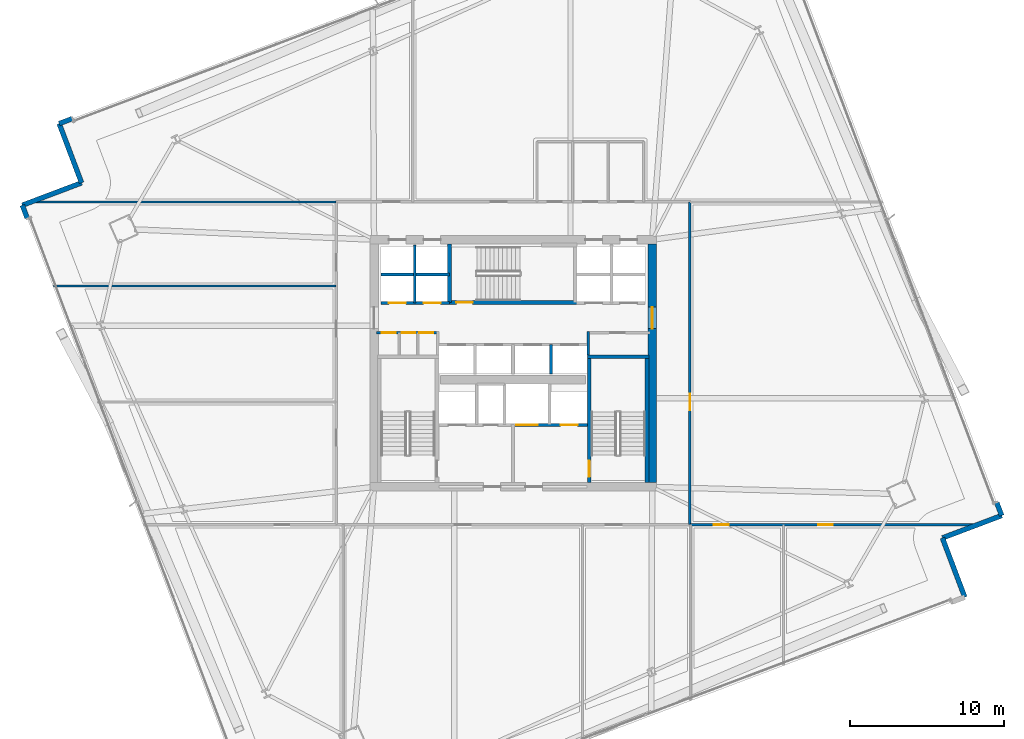
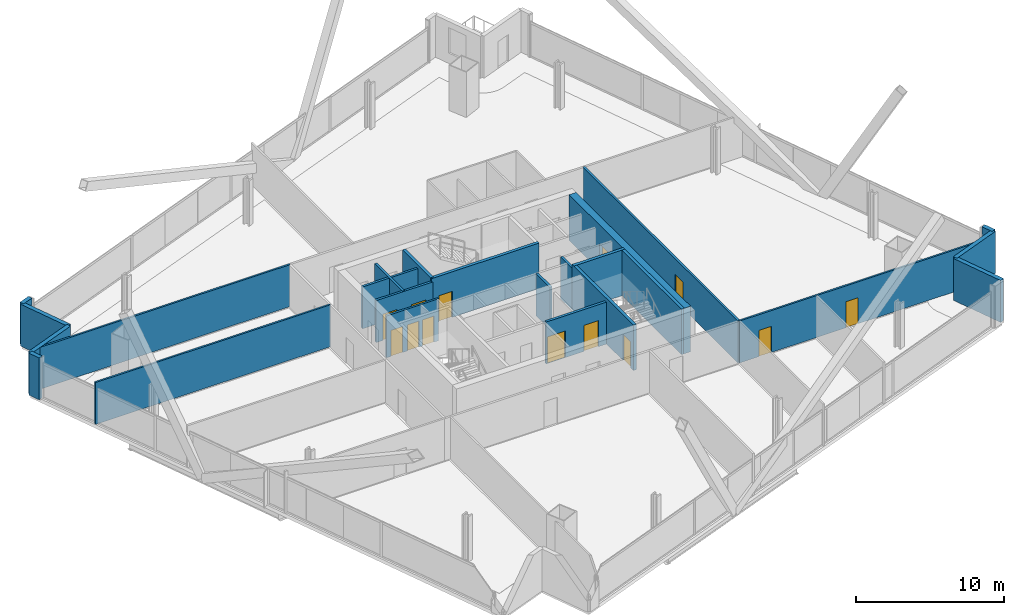
# One storey, part 30 of 37: 24 walls, 13 doors, 13 openings.
"""IFC4 building model written with IfcOpenShell, lengths in metres."""

import ifcopenshell
import ifcopenshell.guid

model = None  # the IFC model being written
_history = None  # IfcOwnerHistory: only IFC2X3 demands one
_inside = {}  # id of a spatial element -> (the spatial element, [elements in it])
_under = {}  # id of a project, library or spatial element -> (it, [spatial elements below it])
_declared = {}  # id of a project -> (the project, [libraries it declares])
_typed = {}  # id of a type object -> (the type object, [elements of that type])
_made_of = {}  # id of a material, layer set ... -> (it, [elements and type objects made of it])


def new_model(schema):
    """Start an empty IFC model of exactly this schema.

    Asked for "IFC4X3", IfcOpenShell would pick the latest addendum, in which some entities
    have other attributes; the version numbers below select the first issue.
    IFC2X3 requires an IfcOwnerHistory on every rooted entity: one is made here for all.
    """
    global model, _history
    if schema == "IFC4X3":
        model = ifcopenshell.file(schema_version=(4, 3, 0, 0))
    else:
        model = ifcopenshell.file(schema=schema)
    _inside.clear()
    _under.clear()
    _declared.clear()
    _typed.clear()
    _made_of.clear()
    _history = None
    if model.schema == "IFC2X3":
        org = make("IfcOrganization", Name="unknown")
        user = make(
            "IfcPersonAndOrganization",
            ThePerson=make("IfcPerson", FamilyName="unknown"),
            TheOrganization=org,
        )
        app = make(
            "IfcApplication",
            ApplicationDeveloper=org,
            Version="unknown",
            ApplicationFullName="unknown",
            ApplicationIdentifier="unknown",
        )
        _history = make(
            "IfcOwnerHistory",
            OwningUser=user,
            OwningApplication=app,
            ChangeAction="ADDED",
            CreationDate=0,
        )
    return model


def make(cls, **values):
    """One entity of the class cls with the attributes given. An attribute that is None is left unset."""
    return model.create_entity(
        cls, **{name: value for name, value in values.items() if value is not None}
    )


def rooted(cls, **values):
    """An entity with a GlobalId (a new one), such as an element, a storey or a relation."""
    return make(cls, GlobalId=ifcopenshell.guid.new(), OwnerHistory=_history, **values)


def si_unit(unit_type, name, prefix=None):
    """IfcSIUnit, for example si_unit("LENGTHUNIT", "METRE", prefix="MILLI")."""
    return make("IfcSIUnit", UnitType=unit_type, Prefix=prefix, Name=name)


def assignment(units):
    """IfcUnitAssignment: the units of a project."""
    return None if units is None else make("IfcUnitAssignment", Units=units)


def point(xyz):
    """IfcCartesianPoint."""
    return None if xyz is None else make("IfcCartesianPoint", Coordinates=xyz)


def direction(xyz):
    """IfcDirection."""
    return None if xyz is None else make("IfcDirection", DirectionRatios=xyz)


def frame(location, z_axis=None, x_axis=None):
    """IfcAxis2Placement3D, a coordinate frame: its origin and axes. An axis left out is left unset."""
    return make(
        "IfcAxis2Placement3D",
        Location=point(location),
        Axis=direction(z_axis),
        RefDirection=direction(x_axis),
    )


def frame_2d(location, x_axis=None):
    """IfcAxis2Placement2D, a coordinate frame in the plane: its origin and x axis."""
    return make(
        "IfcAxis2Placement2D", Location=point(location), RefDirection=direction(x_axis)
    )


def origin():
    """The frame at (0, 0, 0) with its axes left unset."""
    return frame((0.0, 0.0, 0.0))


def place(relative_to, where):
    """IfcLocalPlacement: puts the frame where relative to a parent placement (None: the world)."""
    return make(
        "IfcLocalPlacement", PlacementRelTo=relative_to, RelativePlacement=where
    )


def context(
    kind, dimensions, precision=None, world=None, true_north=None, identifier=None
):
    """IfcGeometricRepresentationContext, for example the 3D "Model" context."""
    return make(
        "IfcGeometricRepresentationContext",
        ContextIdentifier=identifier,
        ContextType=kind,
        CoordinateSpaceDimension=dimensions,
        Precision=precision,
        WorldCoordinateSystem=world,
        TrueNorth=true_north,
    )


def subcontext(parent, identifier, kind, view, scale=None):
    """IfcGeometricRepresentationSubContext, for example "Body" below "Model"."""
    return make(
        "IfcGeometricRepresentationSubContext",
        ContextIdentifier=identifier,
        ContextType=kind,
        ParentContext=parent,
        TargetScale=scale,
        TargetView=view,
    )


def project(units=None, contexts=None):
    """IfcProject with its units and contexts."""
    return rooted(
        "IfcProject",
        Name="project",
        RepresentationContexts=contexts,
        UnitsInContext=assignment(units),
    )


def spatial(cls, under=None, at=None, **own):
    """A site, building, storey or space (cls), placed at a placement, below another one or the project."""
    s = rooted(cls, ObjectPlacement=at, **own)
    if under is not None:
        _under.setdefault(under.id(), (under, []))[1].append(s)
    return s


def profile(cls, at=None, kind="AREA", **sizes):
    """A parametric profile (cls). Its sizes go by their IFC names, for example OverallWidth=200.0."""
    return make(cls, ProfileType=kind, Position=at, **sizes)


def rectangle(**sizes):
    """IfcRectangleProfileDef."""
    return profile("IfcRectangleProfileDef", **sizes)


def extrude(swept, where, along, depth):
    """IfcExtrudedAreaSolid: the profile swept, set in the frame where, extruded along a direction by depth."""
    return make(
        "IfcExtrudedAreaSolid",
        SweptArea=swept,
        Position=where,
        ExtrudedDirection=direction(along),
        Depth=depth,
    )


def shape(context_of_items, identifier, shape_type, items):
    """IfcShapeRepresentation: the items that make up one representation, for example the "Body"."""
    return make(
        "IfcShapeRepresentation",
        ContextOfItems=context_of_items,
        RepresentationIdentifier=identifier,
        RepresentationType=shape_type,
        Items=items,
    )


def material(Name=None, Category=None):
    """IfcMaterial."""
    return make("IfcMaterial", Name=Name, Category=Category)


def layer(
    of_material, thickness, ventilated=None, Name=None, Category=None, Priority=None
):
    """IfcMaterialLayer: one layer of a wall or slab, of a material (None: an air gap)."""
    return make(
        "IfcMaterialLayer",
        Material=of_material,
        LayerThickness=thickness,
        IsVentilated=ventilated,
        Name=Name,
        Category=Category,
        Priority=Priority,
    )


def layer_set(layers, Name=None):
    """IfcMaterialLayerSet."""
    return make("IfcMaterialLayerSet", MaterialLayers=layers, LayerSetName=Name)


def made_of(thing, what):
    """Note that an element or type object is made of a material, layer set ...; save() writes the relation."""
    if what is not None:
        _made_of.setdefault(what.id(), (what, []))[1].append(thing)
    return thing


def type_object(cls, material=None, **own):
    """A type object (cls), such as IfcWallType, which elements share."""
    return made_of(rooted(cls, **own), material)


def element(
    cls,
    number,
    at=None,
    inside=None,
    cuts=None,
    type_object=None,
    material=None,
    context=None,
    identifier="Body",
    shape_type=None,
    held_by="IfcProductDefinitionShape",
    body=None,
    shapes=None,
    **own,
):
    """One element of the class cls, such as IfcWall. Its Tag is "e" and its number.

    at: its placement. inside: the storey or other place that contains it. cuts: it is an
    opening in that element (IfcRelVoidsElement). A single representation is given by context,
    identifier, shape_type and body (its items); several are given by shapes. held_by: the class
    of the entity that holds the representations. save() writes the other relations.
    """
    e = rooted(cls, Tag="e%d" % number, ObjectPlacement=at, **own)
    if body is not None:
        shapes = [shape(context, identifier, shape_type, body)]
    if shapes is not None:
        e.Representation = make(held_by, Representations=shapes)
    if inside is not None:
        _inside.setdefault(inside.id(), (inside, []))[1].append(e)
    if cuts is not None:
        rooted(
            "IfcRelVoidsElement", RelatingBuildingElement=cuts, RelatedOpeningElement=e
        )
    if type_object is not None:
        _typed.setdefault(type_object.id(), (type_object, []))[1].append(e)
    return made_of(e, material)


def fill(opening, filler):
    """IfcRelFillsElement: the door or window that sits in an opening."""
    return rooted(
        "IfcRelFillsElement",
        RelatingOpeningElement=opening,
        RelatedBuildingElement=filler,
    )


def aggregate(whole, parts):
    """IfcRelAggregates: a whole, such as a stair, and the parts it consists of."""
    return rooted("IfcRelAggregates", RelatingObject=whole, RelatedObjects=parts)


def save(model, path):
    """Write the relations noted so far, then the file.

    IfcRelAggregates (storeys below a building ...), IfcRelContainedInSpatialStructure (elements
    in a storey), IfcRelDefinesByType, IfcRelAssociatesMaterial and IfcRelDeclares: one each for
    every whole, place, type object, material and project.
    """
    for whole, parts in _under.values():
        aggregate(whole, parts)
    for where, things in _inside.values():
        rooted(
            "IfcRelContainedInSpatialStructure",
            RelatedElements=things,
            RelatingStructure=where,
        )
    for kind, things in _typed.values():
        rooted("IfcRelDefinesByType", RelatedObjects=things, RelatingType=kind)
    for what, things in _made_of.values():
        rooted("IfcRelAssociatesMaterial", RelatedObjects=things, RelatingMaterial=what)
    for by, libraries in _declared.values():
        rooted("IfcRelDeclares", RelatingContext=by, RelatedDefinitions=libraries)
    model.write(path)


model = new_model("IFC4")

# Units and contexts
model_context = context("Model", 3, precision=1e-05, world=origin(), true_north=direction((0.0, 1.0)))
body_context = subcontext(model_context, "Body", "Model", "MODEL_VIEW")
ifc_project = project(units=[si_unit("LENGTHUNIT", "METRE"), si_unit("AREAUNIT", "SQUARE_METRE"), si_unit("VOLUMEUNIT", "CUBIC_METRE"), si_unit("PLANEANGLEUNIT", "RADIAN"), si_unit("MASSUNIT", "GRAM", prefix="KILO")], contexts=[model_context])

# Site, building, storey
site_placement = place(None, origin())
site = spatial("IfcSite", under=ifc_project, at=site_placement, CompositionType="ELEMENT")
building_placement = place(site_placement, origin())
building = spatial("IfcBuilding", under=site, at=building_placement, Name="Haldenkirk Collegiate Tower", CompositionType="ELEMENT")
storey_placement = place(building_placement, frame((0.0, 0.0, 97.949951171875)))
storey = spatial("IfcBuildingStorey", under=building, at=storey_placement, Name="L23", CompositionType="ELEMENT", Elevation=97.949951171875)

# Wall, opening, door
ifc_material_1 = material(Name="Concrete f'c 70 MPa", Category="concrete")
ifc_layer_1 = layer(ifc_material_1, 0.550048828125)
ifc_layer_set_1 = layer_set([ifc_layer_1], Name="Concrete f'c 70 MPa")
wall_type_1 = type_object("IfcWallType", Name="WL-CORE-550", PredefinedType="SHEAR", material=ifc_layer_set_1)
wall_1_placement = place(storey_placement, frame((45.0, 18.27490234375, 0.0), z_axis=(0.0, 0.0, 1.0), x_axis=(0.0, 1.0, 0.0)))
wall_1 = element("IfcWall", 1, at=wall_1_placement, inside=storey, type_object=wall_type_1, Name="L23 central core shear wall E", PredefinedType="SHEAR", context=body_context, shape_type="SweptSolid", body=[
    extrude(rectangle(XDim=15.4501953125, YDim=0.550048828125, at=frame_2d((7.72509765625, 0.0))), origin(), (0.0, 0.0, 1.0), 3.75),
])
opening_1_placement = place(wall_1_placement, frame((9.965087890625, 0.0, 0.0)))
opening_1 = element("IfcOpeningElement", 2, at=opening_1_placement, cuts=wall_1, Name="Opening D-03", PredefinedType="OPENING", context=body_context, shape_type="SweptSolid", body=[
    extrude(rectangle(XDim=1.39990234375, YDim=2.199951171875, at=frame_2d((0.699951171875, 1.10009765625))), frame((0.0, 0.284912109375, 0.0), z_axis=(0.0, -1.0, 0.0), x_axis=(1.0, 0.0, 0.0)), (0.0, 0.0, 1.0), 0.570068359375),
])
ifc_material_2 = material(Name="Galvanized fire-rated hollow steel door", Category="steel")
ifc_layer_2 = layer(ifc_material_2, 0.06005859375)
ifc_layer_set_2 = layer_set([ifc_layer_2], Name="Galvanized fire-rated hollow steel door")
door_type_1 = type_object("IfcDoorType", Name="DR-LOBBY-FD90-1400", OperationType="NOTDEFINED", PredefinedType="DOOR", material=ifc_layer_set_2)
door_1_placement = place(opening_1_placement, origin())
door_1 = element("IfcDoor", 3, at=door_1_placement, inside=storey, type_object=door_type_1, Name="L23 east lift lobby portal", OperationType="DOUBLE_DOOR_SINGLE_SWING", OverallHeight=2.199951171875, OverallWidth=1.39990234375, PredefinedType="DOOR", context=body_context, shape_type="SweptSolid", body=[
    extrude(rectangle(XDim=1.39990234375, YDim=2.199951171875, at=frame_2d((0.699951171875, 1.10009765625))), frame((0.0, 0.02490234375, 0.0), z_axis=(0.0, -1.0, 0.0), x_axis=(1.0, 0.0, 0.0)), (0.0, 0.0, 1.0), 0.050048828125),
])
fill(opening_1, door_1)

# Walls
ifc_material_3 = material(Name="Precast concrete f'c 40 MPa", Category="concrete")
ifc_layer_3 = layer(ifc_material_3, 0.320068359375)
ifc_layer_set_3 = layer_set([ifc_layer_3], Name="Precast concrete f'c 40 MPa")
wall_type_2 = type_object("IfcWallType", Name="WL-EXT-TWR-320", PredefinedType="STANDARD", material=ifc_layer_set_3)
for number, where, z_axis, x_axis, name in (
    (4, (63.790771484375, 14.693359375, 0.0), (0.0, 0.0, 1.0), (0.353478155162, -0.935442779556, 0.0), "L23 bronze precast notch wall 02"),
    (5, (67.6259765625, 16.142578125, 0.0), (0.0, 0.0, 1.0), (-0.935442779556, -0.353478155162, 0.0), "L23 bronze precast notch wall 03"),
):
    element("IfcWall", number, at=place(storey_placement, frame(where, z_axis=z_axis, x_axis=x_axis)), inside=storey, type_object=wall_type_2, Name=name, PredefinedType="STANDARD", context=body_context, shape_type="SweptSolid", body=[
        extrude(rectangle(XDim=4.099853515625, YDim=0.320068359375, at=frame_2d((2.0498046875, 0.0))), origin(), (0.0, 0.0, 1.0), 3.449951171875),
    ])
for number, where, z_axis, x_axis, name in (
    (6, (67.307861328125, 16.984619140625, 0.0), (0.0, 0.0, 1.0), (0.353411117785, -0.935468108396, 0.0), "L23 precast corner pier ER"),
    (7, (6.61865234375, 41.51611328125, 0.0), (0.0, 0.0, 1.0), (0.935468108396, 0.353411117785, 0.0), "L23 precast corner pier NL"),
):
    element("IfcWall", number, at=place(storey_placement, frame(where, z_axis=z_axis, x_axis=x_axis)), inside=storey, type_object=wall_type_2, Name=name, PredefinedType="STANDARD", context=body_context, shape_type="SweptSolid", body=[
        extrude(rectangle(XDim=0.900146484375, YDim=0.320068359375, at=frame_2d((0.4501953125, 0.0))), origin(), (0.0, 0.0, 1.0), 3.449951171875),
    ])
wall_2_placement = place(storey_placement, frame((8.068115234375, 37.680908203125, 0.0), z_axis=(0.0, 0.0, 1.0), x_axis=(-0.353530261365, 0.935423088393, 0.0)))
element("IfcWall", 8, at=wall_2_placement, inside=storey, type_object=wall_type_2, Name="L23 bronze precast notch wall 08", PredefinedType="STANDARD", context=body_context, shape_type="SweptSolid", body=[
    extrude(rectangle(XDim=4.099853515625, YDim=0.320068359375, at=frame_2d((2.0498046875, 0.0))), origin(), (0.0, 0.0, 1.0), 3.449951171875),
])
wall_3_placement = place(storey_placement, frame((4.232666015625, 36.2314453125, 0.0), z_axis=(0.0, 0.0, 1.0), x_axis=(0.935430530167, 0.353510570185, 0.0)))
element("IfcWall", 9, at=wall_3_placement, inside=storey, type_object=wall_type_2, Name="L23 bronze precast notch wall 09", PredefinedType="STANDARD", context=body_context, shape_type="SweptSolid", body=[
    extrude(rectangle(XDim=4.10009765625, YDim=0.320068359375, at=frame_2d((2.050048828125, 0.0))), origin(), (0.0, 0.0, 1.0), 3.449951171875),
])
wall_4_placement = place(storey_placement, frame((4.55078125, 35.3896484375, 0.0), z_axis=(0.0, 0.0, 1.0), x_axis=(-0.353500808466, 0.93543421918, 0.0)))
element("IfcWall", 10, at=wall_4_placement, inside=storey, type_object=wall_type_2, Name="L23 precast corner pier WR", PredefinedType="STANDARD", context=body_context, shape_type="SweptSolid", body=[
    extrude(rectangle(XDim=0.89990234375, YDim=0.320068359375, at=frame_2d((0.449951171875, 0.0))), origin(), (0.0, 0.0, 1.0), 3.449951171875),
])

# Wall, openings, doors
ifc_material_4 = material(Name="Acoustic fire-rated gypsum partition", Category="concrete")
ifc_layer_4 = layer(ifc_material_4, 0.159912109375)
ifc_layer_set_4 = layer_set([ifc_layer_4], Name="Acoustic fire-rated gypsum partition")
wall_type_3 = type_object("IfcWallType", Name="WL-INT-CORR-160", PredefinedType="PARTITIONING", material=ifc_layer_set_4)
wall_5_placement = place(storey_placement, frame((27.14990234375, 27.97998046875, 0.0), z_axis=(0.0, 0.0, 1.0), x_axis=(1.0, 0.0, 0.0)))
wall_5 = element("IfcWall", 11, at=wall_5_placement, inside=storey, type_object=wall_type_3, Name="L23 interior partition IW-L23-VCSW-N", PredefinedType="PARTITIONING", context=body_context, shape_type="SweptSolid", body=[
    extrude(rectangle(XDim=4.050048828125, YDim=0.159912109375, at=frame_2d((2.02490234375, 0.0))), origin(), (0.0, 0.0, 1.0), 3.449951171875),
])
opening_2_placement = place(wall_5_placement, frame((0.360107421875, 0.0, 0.0)))
opening_2 = element("IfcOpeningElement", 12, at=opening_2_placement, cuts=wall_5, Name="Opening D-11", PredefinedType="OPENING", context=body_context, shape_type="SweptSolid", body=[
    extrude(rectangle(XDim=0.89990234375, YDim=2.14990234375, at=frame_2d((0.449951171875, 1.074951171875))), frame((0.0, 0.08984375, 0.0), z_axis=(0.0, -1.0, 0.0), x_axis=(1.0, 0.0, 0.0)), (0.0, 0.0, 1.0), 0.179931640625),
])
opening_3_placement = place(wall_5_placement, frame((1.6298828125, 0.0, 0.0)))
opening_3 = element("IfcOpeningElement", 13, at=opening_3_placement, cuts=wall_5, Name="Opening D-11", PredefinedType="OPENING", context=body_context, shape_type="SweptSolid", body=[
    extrude(rectangle(XDim=0.89990234375, YDim=2.14990234375, at=frame_2d((0.449951171875, 1.074951171875))), frame((0.0, 0.08984375, 0.0), z_axis=(0.0, -1.0, 0.0), x_axis=(1.0, 0.0, 0.0)), (0.0, 0.0, 1.0), 0.179931640625),
])
opening_4_placement = place(wall_5_placement, frame((2.78759765625, 0.0, 0.0)))
opening_4 = element("IfcOpeningElement", 14, at=opening_4_placement, cuts=wall_5, Name="Opening D-11", PredefinedType="OPENING", context=body_context, shape_type="SweptSolid", body=[
    extrude(rectangle(XDim=0.89990234375, YDim=2.14990234375, at=frame_2d((0.449951171875, 1.074951171875))), frame((0.0, 0.08984375, 0.0), z_axis=(0.0, -1.0, 0.0), x_axis=(1.0, 0.0, 0.0)), (0.0, 0.0, 1.0), 0.179931640625),
])
ifc_material_5 = material(Name="Solid-core architectural oak fire door", Category="wood")
ifc_layer_5 = layer(ifc_material_5, 0.06005859375)
ifc_layer_set_5 = layer_set([ifc_layer_5], Name="Solid-core architectural oak fire door")
door_type_2 = type_object("IfcDoorType", Name="DR-INT-FD60-900", OperationType="NOTDEFINED", PredefinedType="DOOR", material=ifc_layer_set_5)
door_2_placement = place(opening_2_placement, origin())
door_2 = element("IfcDoor", 15, at=door_2_placement, inside=storey, type_object=door_type_2, Name="L23 core study booth door", OperationType="SINGLE_SWING_RIGHT", OverallHeight=2.14990234375, OverallWidth=0.89990234375, PredefinedType="DOOR", context=body_context, shape_type="SweptSolid", body=[
    extrude(rectangle(XDim=0.89990234375, YDim=2.14990234375, at=frame_2d((0.449951171875, 1.074951171875))), frame((0.0, 0.02490234375, 0.0), z_axis=(0.0, -1.0, 0.0), x_axis=(1.0, 0.0, 0.0)), (0.0, 0.0, 1.0), 0.050048828125),
])
fill(opening_2, door_2)
door_3_placement = place(opening_3_placement, origin())
door_3 = element("IfcDoor", 16, at=door_3_placement, inside=storey, type_object=door_type_2, Name="L23 core cleaners door", OperationType="SINGLE_SWING_LEFT", OverallHeight=2.14990234375, OverallWidth=0.89990234375, PredefinedType="DOOR", context=body_context, shape_type="SweptSolid", body=[
    extrude(rectangle(XDim=0.89990234375, YDim=2.14990234375, at=frame_2d((0.449951171875, 1.074951171875))), frame((0.0, 0.02490234375, 0.0), z_axis=(0.0, -1.0, 0.0), x_axis=(1.0, 0.0, 0.0)), (0.0, 0.0, 1.0), 0.050048828125),
])
fill(opening_3, door_3)
door_4_placement = place(opening_4_placement, origin())
door_4 = element("IfcDoor", 17, at=door_4_placement, inside=storey, type_object=door_type_2, Name="L23 core stationery door", OperationType="SINGLE_SWING_RIGHT", OverallHeight=2.14990234375, OverallWidth=0.89990234375, PredefinedType="DOOR", context=body_context, shape_type="SweptSolid", body=[
    extrude(rectangle(XDim=0.89990234375, YDim=2.14990234375, at=frame_2d((0.449951171875, 1.074951171875))), frame((0.0, 0.02490234375, 0.0), z_axis=(0.0, -1.0, 0.0), x_axis=(1.0, 0.0, 0.0)), (0.0, 0.0, 1.0), 0.050048828125),
])
fill(opening_4, door_4)

# Wall
wall_6_placement = place(storey_placement, frame((40.8798828125, 26.5400390625, 0.0), z_axis=(0.0, 0.0, 1.0), x_axis=(0.0, 1.0, 0.0)))
element("IfcWall", 18, at=wall_6_placement, inside=storey, type_object=wall_type_3, Name="L23 interior partition IW-L23-VCSE-W", PredefinedType="PARTITIONING", context=body_context, shape_type="SweptSolid", body=[
    extrude(rectangle(XDim=1.510009765625, YDim=0.159912109375, at=frame_2d((0.7548828125, 0.0))), origin(), (0.0, 0.0, 1.0), 3.449951171875),
])

# Wall, opening, door
wall_7_placement = place(storey_placement, frame((47.449951171875, 15.550048828125, 0.0), z_axis=(0.0, 0.0, 1.0), x_axis=(0.0, 1.0, 0.0)))
wall_7 = element("IfcWall", 19, at=wall_7_placement, inside=storey, type_object=wall_type_3, Name="L23 interior partition IW-L23-CE", PredefinedType="PARTITIONING", context=body_context, shape_type="SweptSolid", body=[
    extrude(rectangle(XDim=20.89990234375, YDim=0.159912109375, at=frame_2d((10.449951171875, 0.0))), origin(), (0.0, 0.0, 1.0), 3.449951171875),
])
opening_5_placement = place(wall_7_placement, frame((7.4169921875, 0.0, 0.0)))
opening_5 = element("IfcOpeningElement", 20, at=opening_5_placement, cuts=wall_7, Name="Opening D-09", PredefinedType="OPENING", context=body_context, shape_type="SweptSolid", body=[
    extrude(rectangle(XDim=1.050048828125, YDim=2.14990234375, at=frame_2d((0.52490234375, 1.074951171875))), frame((0.0, 0.08984375, 0.0), z_axis=(0.0, -1.0, 0.0), x_axis=(1.0, 0.0, 0.0)), (0.0, 0.0, 1.0), 0.179931640625),
])
ifc_layer_6 = layer(ifc_material_5, 0.06005859375)
ifc_layer_set_6 = layer_set([ifc_layer_6], Name="Solid-core architectural oak fire door")
door_type_3 = type_object("IfcDoorType", Name="DR-INT-FD60-1050", OperationType="NOTDEFINED", PredefinedType="DOOR", material=ifc_layer_set_6)
door_5_placement = place(opening_5_placement, origin())
door_5 = element("IfcDoor", 21, at=door_5_placement, inside=storey, type_object=door_type_3, Name="L23 Colloquium Conference Room 11 door", OperationType="SINGLE_SWING_LEFT", OverallHeight=2.14990234375, OverallWidth=1.050048828125, PredefinedType="DOOR", context=body_context, shape_type="SweptSolid", body=[
    extrude(rectangle(XDim=1.050048828125, YDim=2.14990234375, at=frame_2d((0.52490234375, 1.074951171875))), frame((0.0, 0.02490234375, 0.0), z_axis=(0.0, -1.0, 0.0), x_axis=(1.0, 0.0, 0.0)), (0.0, 0.0, 1.0), 0.050048828125),
])
fill(opening_5, door_5)

# Wall
ifc_layer_7 = layer(ifc_material_4, 0.139892578125)
ifc_layer_set_7 = layer_set([ifc_layer_7], Name="Acoustic fire-rated gypsum partition")
wall_type_4 = type_object("IfcWallType", Name="WL-INT-DIV-140", PredefinedType="PARTITIONING", material=ifc_layer_set_7)
wall_8_placement = place(storey_placement, frame((4.924072265625, 36.449951171875, 0.0), z_axis=(0.0, 0.0, 1.0), x_axis=(1.0, 0.0, 0.0)))
element("IfcWall", 22, at=wall_8_placement, inside=storey, type_object=wall_type_4, Name="L23 interior partition IW-L23-BWN", PredefinedType="PARTITIONING", context=body_context, shape_type="SweptSolid", body=[
    extrude(rectangle(XDim=19.6259765625, YDim=0.139892578125, at=frame_2d((9.81298828125, 0.0))), origin(), (0.0, 0.0, 1.0), 3.449951171875),
])

# Wall, openings, doors
wall_9_placement = place(storey_placement, frame((47.449951171875, 15.550048828125, 0.0), z_axis=(0.0, 0.0, 1.0), x_axis=(1.0, 0.0, 0.0)))
wall_9 = element("IfcWall", 23, at=wall_9_placement, inside=storey, type_object=wall_type_4, Name="L23 interior partition IW-L23-BES", PredefinedType="PARTITIONING", context=body_context, shape_type="SweptSolid", body=[
    extrude(rectangle(XDim=18.49462890625, YDim=0.139892578125, at=frame_2d((9.247314453125, 0.0))), origin(), (0.0, 0.0, 1.0), 3.449951171875),
])
opening_6_placement = place(wall_9_placement, frame((1.5439453125, 0.0, 0.0)))
opening_6 = element("IfcOpeningElement", 24, at=opening_6_placement, cuts=wall_9, Name="Opening D-12", PredefinedType="OPENING", context=body_context, shape_type="SweptSolid", body=[
    extrude(rectangle(XDim=0.949951171875, YDim=2.14990234375, at=frame_2d((0.47509765625, 1.074951171875))), frame((0.0, 0.079833984375, 0.0), z_axis=(0.0, -1.0, 0.0), x_axis=(1.0, 0.0, 0.0)), (0.0, 0.0, 1.0), 0.159912109375),
])
opening_7_placement = place(wall_9_placement, frame((8.299072265625, 0.0, 0.0)))
opening_7 = element("IfcOpeningElement", 25, at=opening_7_placement, cuts=wall_9, Name="Opening D-12", PredefinedType="OPENING", context=body_context, shape_type="SweptSolid", body=[
    extrude(rectangle(XDim=0.949951171875, YDim=2.14990234375, at=frame_2d((0.47509765625, 1.074951171875))), frame((0.0, 0.079833984375, 0.0), z_axis=(0.0, -1.0, 0.0), x_axis=(1.0, 0.0, 0.0)), (0.0, 0.0, 1.0), 0.159912109375),
])
ifc_layer_8 = layer(ifc_material_5, 0.06005859375)
ifc_layer_set_8 = layer_set([ifc_layer_8], Name="Solid-core architectural oak fire door")
door_type_4 = type_object("IfcDoorType", Name="DR-INT-STD-950", OperationType="NOTDEFINED", PredefinedType="DOOR", material=ifc_layer_set_8)
door_6_placement = place(opening_6_placement, origin())
door_6 = element("IfcDoor", 26, at=door_6_placement, inside=storey, type_object=door_type_4, Name="L23 Graduate Seminar Room 4 door", OperationType="SINGLE_SWING_RIGHT", OverallHeight=2.14990234375, OverallWidth=0.949951171875, PredefinedType="DOOR", context=body_context, shape_type="SweptSolid", body=[
    extrude(rectangle(XDim=0.949951171875, YDim=2.14990234375, at=frame_2d((0.47509765625, 1.074951171875))), frame((0.0, 0.02490234375, 0.0), z_axis=(0.0, -1.0, 0.0), x_axis=(1.0, 0.0, 0.0)), (0.0, 0.0, 1.0), 0.050048828125),
])
fill(opening_6, door_6)
door_7_placement = place(opening_7_placement, origin())
door_7 = element("IfcDoor", 27, at=door_7_placement, inside=storey, type_object=door_type_4, Name="L23 Colloquium Conference Room 5 door", OperationType="SINGLE_SWING_LEFT", OverallHeight=2.14990234375, OverallWidth=0.949951171875, PredefinedType="DOOR", context=body_context, shape_type="SweptSolid", body=[
    extrude(rectangle(XDim=0.949951171875, YDim=2.14990234375, at=frame_2d((0.47509765625, 1.074951171875))), frame((0.0, 0.02490234375, 0.0), z_axis=(0.0, -1.0, 0.0), x_axis=(1.0, 0.0, 0.0)), (0.0, 0.0, 1.0), 0.050048828125),
])
fill(opening_7, door_7)

# Wall
wall_10_placement = place(storey_placement, frame((6.252197265625, 31.0, 0.0), z_axis=(0.0, 0.0, 1.0), x_axis=(1.0, 0.0, 0.0)))
element("IfcWall", 28, at=wall_10_placement, inside=storey, type_object=wall_type_4, Name="L23 interior partition IW-L23-RW2", PredefinedType="PARTITIONING", context=body_context, shape_type="SweptSolid", body=[
    extrude(rectangle(XDim=18.2978515625, YDim=0.139892578125, at=frame_2d((9.14892578125, 0.0))), origin(), (0.0, 0.0, 1.0), 3.449951171875),
])

# Wall, openings, doors
ifc_material_6 = material(Name="Fire-rated gypsum shaftboard assembly", Category="concrete")
ifc_layer_9 = layer(ifc_material_6, 0.179931640625)
ifc_layer_set_9 = layer_set([ifc_layer_9], Name="Fire-rated gypsum shaftboard assembly")
wall_type_5 = type_object("IfcWallType", Name="WL-INT-SHAFT-180", PredefinedType="PARTITIONING", material=ifc_layer_set_9)
wall_11_placement = place(storey_placement, frame((27.449951171875, 29.89990234375, 0.0), z_axis=(0.0, 0.0, 1.0), x_axis=(1.0, 0.0, 0.0)))
wall_11 = element("IfcWall", 29, at=wall_11_placement, inside=storey, type_object=wall_type_5, Name="L23 interior partition IW-L23-PLS", PredefinedType="PARTITIONING", context=body_context, shape_type="SweptSolid", body=[
    extrude(rectangle(XDim=4.429931640625, YDim=0.179931640625, at=frame_2d((2.21484375, 0.0))), origin(), (0.0, 0.0, 1.0), 3.449951171875),
])
opening_8_placement = place(wall_11_placement, frame((0.514892578125, 0.0, 0.0)))
opening_8 = element("IfcOpeningElement", 30, at=opening_8_placement, cuts=wall_11, Name="Opening LD-11", PredefinedType="OPENING", context=body_context, shape_type="SweptSolid", body=[
    extrude(rectangle(XDim=1.10009765625, YDim=2.14990234375, at=frame_2d((0.550048828125, 1.074951171875))), frame((0.0, 0.099853515625, 0.0), z_axis=(0.0, -1.0, 0.0), x_axis=(1.0, 0.0, 0.0)), (0.0, 0.0, 1.0), 0.199951171875),
])
opening_9_placement = place(wall_11_placement, frame((2.764892578125, 0.0, 0.0)))
opening_9 = element("IfcOpeningElement", 31, at=opening_9_placement, cuts=wall_11, Name="Opening LD-11", PredefinedType="OPENING", context=body_context, shape_type="SweptSolid", body=[
    extrude(rectangle(XDim=1.10009765625, YDim=2.14990234375, at=frame_2d((0.550048828125, 1.074951171875))), frame((0.0, 0.099853515625, 0.0), z_axis=(0.0, -1.0, 0.0), x_axis=(1.0, 0.0, 0.0)), (0.0, 0.0, 1.0), 0.199951171875),
])
ifc_material_7 = material(Name="Brushed architectural stainless steel", Category="steel")
ifc_layer_10 = layer(ifc_material_7, 0.06005859375)
ifc_layer_set_10 = layer_set([ifc_layer_10], Name="Brushed architectural stainless steel")
door_type_5 = type_object("IfcDoorType", Name="LD-PASS-1100", OperationType="NOTDEFINED", PredefinedType="DOOR", material=ifc_layer_set_10)
door_8_placement = place(opening_8_placement, origin())
door_8 = element("IfcDoor", 32, at=door_8_placement, inside=storey, type_object=door_type_5, Name="L23 Elevator PL1 sliding landing door", OperationType="SLIDING_TO_LEFT", OverallHeight=2.14990234375, OverallWidth=1.10009765625, PredefinedType="DOOR", context=body_context, shape_type="SweptSolid", body=[
    extrude(rectangle(XDim=1.10009765625, YDim=2.14990234375, at=frame_2d((0.550048828125, 1.074951171875))), frame((0.0, 0.02490234375, 0.0), z_axis=(0.0, -1.0, 0.0), x_axis=(1.0, 0.0, 0.0)), (0.0, 0.0, 1.0), 0.050048828125),
])
fill(opening_8, door_8)
door_9_placement = place(opening_9_placement, origin())
door_9 = element("IfcDoor", 33, at=door_9_placement, inside=storey, type_object=door_type_5, Name="L23 Elevator PL2 sliding landing door", OperationType="SLIDING_TO_LEFT", OverallHeight=2.14990234375, OverallWidth=1.10009765625, PredefinedType="DOOR", context=body_context, shape_type="SweptSolid", body=[
    extrude(rectangle(XDim=1.10009765625, YDim=2.14990234375, at=frame_2d((0.550048828125, 1.074951171875))), frame((0.0, 0.02490234375, 0.0), z_axis=(0.0, -1.0, 0.0), x_axis=(1.0, 0.0, 0.0)), (0.0, 0.0, 1.0), 0.050048828125),
])
fill(opening_9, door_9)

# Walls
wall_12_placement = place(storey_placement, frame((27.449951171875, 31.75, 0.0), z_axis=(0.0, 0.0, 1.0), x_axis=(1.0, 0.0, 0.0)))
element("IfcWall", 34, at=wall_12_placement, inside=storey, type_object=wall_type_5, Name="L23 interior partition IW-L23-PLM", PredefinedType="PARTITIONING", context=body_context, shape_type="SweptSolid", body=[
    extrude(rectangle(XDim=4.429931640625, YDim=0.179931640625, at=frame_2d((2.21484375, 0.0))), origin(), (0.0, 0.0, 1.0), 3.449951171875),
])
wall_13_placement = place(storey_placement, frame((29.6298828125, 29.89990234375, 0.0), z_axis=(0.0, 0.0, 1.0), x_axis=(0.0, 1.0, 0.0)))
element("IfcWall", 35, at=wall_13_placement, inside=storey, type_object=wall_type_5, Name="L23 interior partition IW-L23-PLV", PredefinedType="PARTITIONING", context=body_context, shape_type="SweptSolid", body=[
    extrude(rectangle(XDim=3.75, YDim=0.179931640625, at=frame_2d((1.875, 0.0))), origin(), (0.0, 0.0, 1.0), 3.449951171875),
])
wall_14_placement = place(storey_placement, frame((38.4599609375, 25.300048828125, 0.0), z_axis=(0.0, 0.0, 1.0), x_axis=(0.0, 1.0, 0.0)))
element("IfcWall", 36, at=wall_14_placement, inside=storey, type_object=wall_type_5, Name="L23 interior partition IW-L23-PHV3", PredefinedType="PARTITIONING", context=body_context, shape_type="SweptSolid", body=[
    extrude(rectangle(XDim=1.89990234375, YDim=0.179931640625, at=frame_2d((0.949951171875, 0.0))), origin(), (0.0, 0.0, 1.0), 3.449951171875),
])

# Wall, openings, doors
ifc_layer_11 = layer(ifc_material_6, 0.199951171875)
ifc_layer_set_11 = layer_set([ifc_layer_11], Name="Fire-rated gypsum shaftboard assembly")
wall_type_6 = type_object("IfcWallType", Name="WL-INT-SHAFT-200", PredefinedType="PARTITIONING", material=ifc_layer_set_11)
wall_15_placement = place(storey_placement, frame((36.1201171875, 22.0, 0.0), z_axis=(0.0, 0.0, 1.0), x_axis=(1.0, 0.0, 0.0)))
wall_15 = element("IfcWall", 37, at=wall_15_placement, inside=storey, type_object=wall_type_6, Name="L23 interior partition IW-L23-FFL2N", PredefinedType="PARTITIONING", context=body_context, shape_type="SweptSolid", body=[
    extrude(rectangle(XDim=4.68994140625, YDim=0.199951171875, at=frame_2d((2.344970703125, 0.0))), origin(), (0.0, 0.0, 1.0), 3.449951171875),
])
opening_10_placement = place(wall_15_placement, frame((2.955078125, 0.0, 0.0)))
opening_10 = element("IfcOpeningElement", 38, at=opening_10_placement, cuts=wall_15, Name="Opening LD-12", PredefinedType="OPENING", context=body_context, shape_type="SweptSolid", body=[
    extrude(rectangle(XDim=1.10009765625, YDim=2.14990234375, at=frame_2d((0.550048828125, 1.074951171875))), frame((0.0, 0.10986328125, 0.0), z_axis=(0.0, -1.0, 0.0), x_axis=(1.0, 0.0, 0.0)), (0.0, 0.0, 1.0), 0.219970703125),
])
opening_11_placement = place(wall_15_placement, frame((0.080078125, 0.0, 0.0)))
opening_11 = element("IfcOpeningElement", 39, at=opening_11_placement, cuts=wall_15, Name="Opening LD-13", PredefinedType="OPENING", context=body_context, shape_type="SweptSolid", body=[
    extrude(rectangle(XDim=1.39990234375, YDim=2.199951171875, at=frame_2d((0.699951171875, 1.10009765625))), frame((0.0, 0.10986328125, 0.0), z_axis=(0.0, -1.0, 0.0), x_axis=(1.0, 0.0, 0.0)), (0.0, 0.0, 1.0), 0.219970703125),
])
ifc_layer_12 = layer(ifc_material_7, 0.06005859375)
ifc_layer_set_12 = layer_set([ifc_layer_12], Name="Brushed architectural stainless steel")
door_type_6 = type_object("IfcDoorType", Name="LD-FIRE-1100", OperationType="NOTDEFINED", PredefinedType="DOOR", material=ifc_layer_set_12)
door_10_placement = place(opening_10_placement, origin())
door_10 = element("IfcDoor", 40, at=door_10_placement, inside=storey, type_object=door_type_6, Name="L23 Elevator FL2 sliding landing door", OperationType="SLIDING_TO_LEFT", OverallHeight=2.14990234375, OverallWidth=1.10009765625, PredefinedType="DOOR", context=body_context, shape_type="SweptSolid", body=[
    extrude(rectangle(XDim=1.10009765625, YDim=2.14990234375, at=frame_2d((0.550048828125, 1.074951171875))), frame((0.0, 0.02490234375, 0.0), z_axis=(0.0, -1.0, 0.0), x_axis=(1.0, 0.0, 0.0)), (0.0, 0.0, 1.0), 0.050048828125),
])
fill(opening_10, door_10)
ifc_layer_13 = layer(ifc_material_7, 0.06005859375)
ifc_layer_set_13 = layer_set([ifc_layer_13], Name="Brushed architectural stainless steel")
door_type_7 = type_object("IfcDoorType", Name="LD-GOODS-1400", OperationType="NOTDEFINED", PredefinedType="DOOR", material=ifc_layer_set_13)
door_11_placement = place(opening_11_placement, origin())
door_11 = element("IfcDoor", 41, at=door_11_placement, inside=storey, type_object=door_type_7, Name="L23 Elevator GL1 sliding landing door", OperationType="SLIDING_TO_LEFT", OverallHeight=2.199951171875, OverallWidth=1.39990234375, PredefinedType="DOOR", context=body_context, shape_type="SweptSolid", body=[
    extrude(rectangle(XDim=1.39990234375, YDim=2.199951171875, at=frame_2d((0.699951171875, 1.10009765625))), frame((0.0, 0.02490234375, 0.0), z_axis=(0.0, -1.0, 0.0), x_axis=(1.0, 0.0, 0.0)), (0.0, 0.0, 1.0), 0.050048828125),
])
fill(opening_11, door_11)

# Wall, opening, door
ifc_material_8 = material(Name="Concrete f'c 55 MPa", Category="concrete")
ifc_layer_14 = layer(ifc_material_8, 0.239990234375)
ifc_layer_set_14 = layer_set([ifc_layer_14], Name="Concrete f'c 55 MPa")
wall_type_7 = type_object("IfcWallType", Name="WL-SHAFT-240", PredefinedType="SHEAR", material=ifc_layer_set_14)
wall_16_placement = place(storey_placement, frame((40.929931640625, 18.280029296875, 0.0), z_axis=(0.0, 0.0, 1.0), x_axis=(0.0, 1.0, 0.0)))
wall_16 = element("IfcWall", 42, at=wall_16_placement, inside=storey, type_object=wall_type_7, Name="L23 stair shaft shear wall SW-L23-ST2W", PredefinedType="SHEAR", context=body_context, shape_type="SweptSolid", body=[
    extrude(rectangle(XDim=8.260009765625, YDim=0.239990234375, at=frame_2d((4.1298828125, 0.0))), origin(), (0.0, 0.0, 1.0), 3.75),
])
opening_12_placement = place(wall_16_placement, frame((0.364990234375, 0.0, 0.0)))
opening_12 = element("IfcOpeningElement", 43, at=opening_12_placement, cuts=wall_16, Name="Opening D-01", PredefinedType="OPENING", context=body_context, shape_type="SweptSolid", body=[
    extrude(rectangle(XDim=1.050048828125, YDim=2.14990234375, at=frame_2d((0.52490234375, 1.074951171875))), frame((0.0, 0.1298828125, 0.0), z_axis=(0.0, -1.0, 0.0), x_axis=(1.0, 0.0, 0.0)), (0.0, 0.0, 1.0), 0.260009765625),
])
ifc_layer_15 = layer(ifc_material_2, 0.06005859375)
ifc_layer_set_15 = layer_set([ifc_layer_15], Name="Galvanized fire-rated hollow steel door")
door_type_8 = type_object("IfcDoorType", Name="DR-STAIR-FD90-1050", OperationType="NOTDEFINED", PredefinedType="DOOR", material=ifc_layer_set_15)
door_12_placement = place(opening_12_placement, origin())
door_12 = element("IfcDoor", 44, at=door_12_placement, inside=storey, type_object=door_type_8, Name="L23 Stair 2 door", OperationType="SINGLE_SWING_RIGHT", OverallHeight=2.14990234375, OverallWidth=1.050048828125, PredefinedType="DOOR", context=body_context, shape_type="SweptSolid", body=[
    extrude(rectangle(XDim=1.050048828125, YDim=2.14990234375, at=frame_2d((0.52490234375, 1.074951171875))), frame((0.0, 0.02490234375, 0.0), z_axis=(0.0, -1.0, 0.0), x_axis=(1.0, 0.0, 0.0)), (0.0, 0.0, 1.0), 0.050048828125),
])
fill(opening_12, door_12)

# Walls
wall_17_placement = place(storey_placement, frame((40.81005859375, 26.419921875, 0.0), z_axis=(0.0, 0.0, 1.0), x_axis=(1.0, 0.0, 0.0)))
element("IfcWall", 45, at=wall_17_placement, inside=storey, type_object=wall_type_7, Name="L23 stair shaft shear wall SW-L23-ST2N", PredefinedType="SHEAR", context=body_context, shape_type="SweptSolid", body=[
    extrude(rectangle(XDim=3.97998046875, YDim=0.239990234375, at=frame_2d((1.989990234375, 0.0))), origin(), (0.0, 0.0, 1.0), 3.75),
])
wall_18_placement = place(storey_placement, frame((44.669921875, 18.280029296875, 0.0), z_axis=(0.0, 0.0, 1.0), x_axis=(0.0, 1.0, 0.0)))
element("IfcWall", 46, at=wall_18_placement, inside=storey, type_object=wall_type_7, Name="L23 stair shaft shear wall SW-L23-ST2E", PredefinedType="SHEAR", context=body_context, shape_type="SweptSolid", body=[
    extrude(rectangle(XDim=8.260009765625, YDim=0.239990234375, at=frame_2d((4.1298828125, 0.0))), origin(), (0.0, 0.0, 1.0), 3.75),
])

# Wall, opening, door
wall_19_placement = place(storey_placement, frame((31.760009765625, 29.929931640625, 0.0), z_axis=(0.0, 0.0, 1.0), x_axis=(1.0, 0.0, 0.0)))
wall_19 = element("IfcWall", 47, at=wall_19_placement, inside=storey, type_object=wall_type_7, Name="L23 stair shaft shear wall SW-L23-ST3S", PredefinedType="SHEAR", context=body_context, shape_type="SweptSolid", body=[
    extrude(rectangle(XDim=8.3798828125, YDim=0.239990234375, at=frame_2d((4.18994140625, 0.0))), origin(), (0.0, 0.0, 1.0), 3.75),
])
opening_13_placement = place(wall_19_placement, frame((0.56494140625, 0.0, 0.0)))
opening_13 = element("IfcOpeningElement", 48, at=opening_13_placement, cuts=wall_19, Name="Opening D-01", PredefinedType="OPENING", context=body_context, shape_type="SweptSolid", body=[
    extrude(rectangle(XDim=1.050048828125, YDim=2.14990234375, at=frame_2d((0.52490234375, 1.074951171875))), frame((0.0, 0.1298828125, 0.0), z_axis=(0.0, -1.0, 0.0), x_axis=(1.0, 0.0, 0.0)), (0.0, 0.0, 1.0), 0.260009765625),
])
door_13_placement = place(opening_13_placement, origin())
door_13 = element("IfcDoor", 49, at=door_13_placement, inside=storey, type_object=door_type_8, Name="L23 lift lobby Stair 3 door", OperationType="SINGLE_SWING_RIGHT", OverallHeight=2.14990234375, OverallWidth=1.050048828125, PredefinedType="DOOR", context=body_context, shape_type="SweptSolid", body=[
    extrude(rectangle(XDim=1.050048828125, YDim=2.14990234375, at=frame_2d((0.52490234375, 1.074951171875))), frame((0.0, 0.02490234375, 0.0), z_axis=(0.0, -1.0, 0.0), x_axis=(1.0, 0.0, 0.0)), (0.0, 0.0, 1.0), 0.050048828125),
])
fill(opening_13, door_13)

# Wall
wall_20_placement = place(storey_placement, frame((31.8798828125, 29.929931640625, 0.0), z_axis=(0.0, 0.0, 1.0), x_axis=(0.0, 1.0, 0.0)))
element("IfcWall", 50, at=wall_20_placement, inside=storey, type_object=wall_type_7, Name="L23 stair shaft shear wall SW-L23-ST3W", PredefinedType="SHEAR", context=body_context, shape_type="SweptSolid", body=[
    extrude(rectangle(XDim=3.7900390625, YDim=0.239990234375, at=frame_2d((1.89501953125, 0.0))), origin(), (0.0, 0.0, 1.0), 3.75),
])

save(model, "model.ifc")
